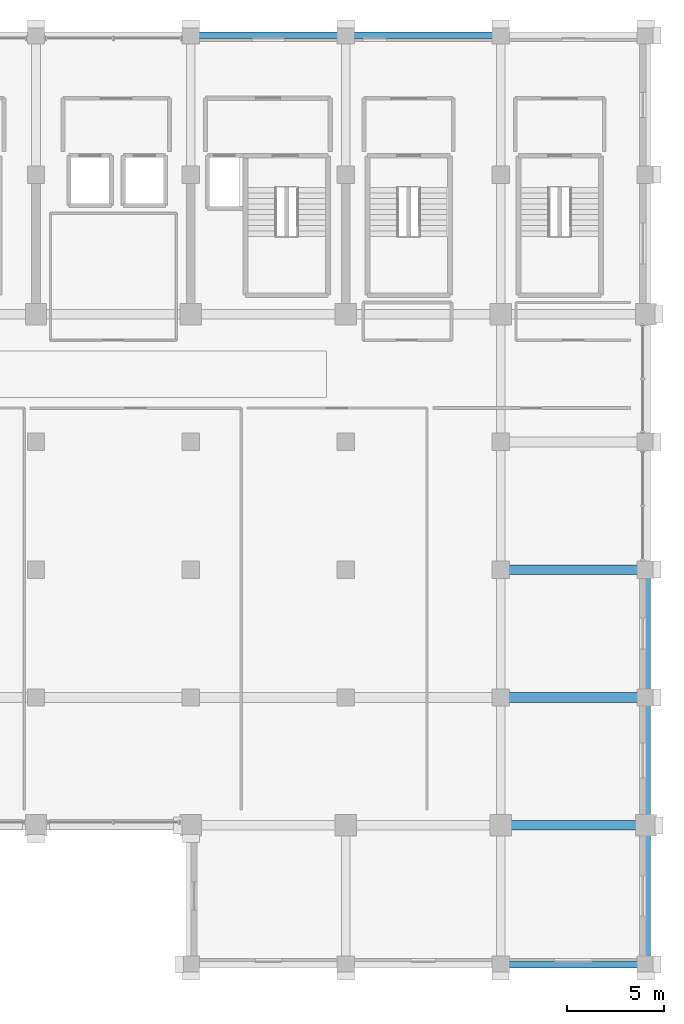
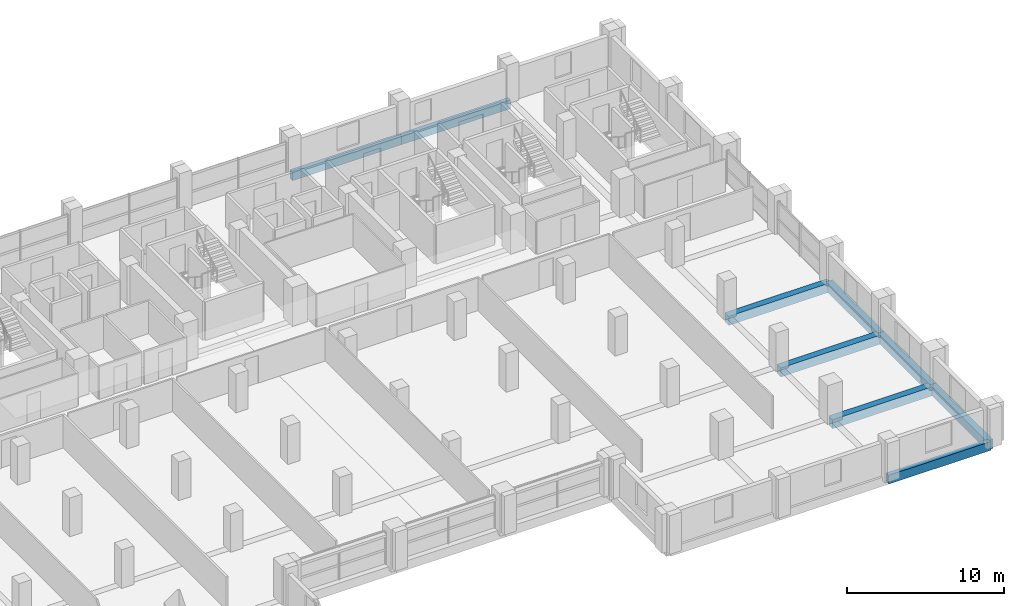
# One storey, part 13 of 22: 9 beams.
"""IFC4 building model written with IfcOpenShell, lengths in metres."""

from ifc_helpers import new_model, si_unit, direction, frame, origin, origin_2d, place, context, subcontext, project, spatial, rectangle, extrude, material, material_profile, profile_set, type_object, element, save


model = new_model("IFC4")

# Units and contexts
model_context = context("Model", 3, precision=1e-05, world=origin(), true_north=direction((0.0, 1.0)))
body_context = subcontext(model_context, "Body", "Model", "MODEL_VIEW")
ifc_project = project(units=[si_unit("LENGTHUNIT", "METRE"), si_unit("AREAUNIT", "SQUARE_METRE"), si_unit("VOLUMEUNIT", "CUBIC_METRE"), si_unit("PLANEANGLEUNIT", "RADIAN"), si_unit("MASSUNIT", "GRAM", prefix="KILO")], contexts=[model_context])

# Site, building, storey
site_placement = place(None, origin())
site = spatial("IfcSite", under=ifc_project, at=site_placement, CompositionType="ELEMENT")
building_placement = place(site_placement, origin())
building = spatial("IfcBuilding", under=site, at=building_placement, Name="Akrevak Sports Hall", CompositionType="ELEMENT")
storey_placement = place(building_placement, frame((0.0, 0.0, 30.800048828125)))
storey = spatial("IfcBuildingStorey", under=building, at=storey_placement, Name="L06", CompositionType="ELEMENT", Elevation=30.800048828125)

# Beams
ifc_material = material(Name="Concrete C40/50", Category="concrete")
ifc_material_profile_1 = material_profile(ifc_material, rectangle(XDim=0.449951171875, YDim=0.699951171875, at=origin_2d()), Name="BM 450x700", Category="concrete")
ifc_profile_set_1 = profile_set([ifc_material_profile_1], Name="Concrete C40/50")
beam_type_1 = type_object("IfcBeamType", Name="STR-BM-RC450x700", PredefinedType="BEAM", material=ifc_profile_set_1)
beam_1_placement = place(storey_placement, frame((115.5, 21.60009765625, -0.35009765625), z_axis=(0.0, 1.0, 0.0), x_axis=(-1.0, 0.0, 0.0)))
element("IfcBeam", 1, at=beam_1_placement, inside=storey, type_object=beam_type_1, Name="Girder 16/D-E (L06)", PredefinedType="BEAM", context=body_context, shape_type="SweptSolid", body=[
    extrude(rectangle(XDim=0.449951171875, YDim=0.699951171875, at=origin_2d()), origin(), (0.0, 0.0, 1.0), 7.199951171875),
])
beam_2_placement = place(storey_placement, frame((115.5, 28.800048828125, -0.35009765625), z_axis=(0.0, 1.0, 0.0), x_axis=(-1.0, 0.0, 0.0)))
element("IfcBeam", 2, at=beam_2_placement, inside=storey, type_object=beam_type_1, Name="Girder 16/E-F (L06)", PredefinedType="BEAM", context=body_context, shape_type="SweptSolid", body=[
    extrude(rectangle(XDim=0.449951171875, YDim=0.699951171875, at=origin_2d()), origin(), (0.0, 0.0, 1.0), 6.599853515625),
])
beam_3_placement = place(storey_placement, frame((115.5, 35.39990234375, -0.35009765625), z_axis=(0.0, 1.0, 0.0), x_axis=(-1.0, 0.0, 0.0)))
element("IfcBeam", 3, at=beam_3_placement, inside=storey, type_object=beam_type_1, Name="Girder 16/F-G (L06)", PredefinedType="BEAM", context=body_context, shape_type="SweptSolid", body=[
    extrude(rectangle(XDim=0.449951171875, YDim=0.699951171875, at=origin_2d()), origin(), (0.0, 0.0, 1.0), 6.60009765625),
])
ifc_material_profile_2 = material_profile(ifc_material, rectangle(XDim=0.5, YDim=0.699951171875, at=origin_2d()), Name="BM 500x700", Category="concrete")
ifc_profile_set_2 = profile_set([ifc_material_profile_2], Name="Concrete C40/50")
beam_type_2 = type_object("IfcBeamType", Name="STR-BM-RC500x700", PredefinedType="BEAM", material=ifc_profile_set_2)
for number, where, z_axis, x_axis, name in (
    (4, (108.0, 28.800048828125, -0.35009765625), (1.0, 0.0, 0.0), (0.0, 1.0, 0.0), "Girder E/15-16 (L06)"),
    (5, (108.0, 35.39990234375, -0.35009765625), (1.0, 0.0, 0.0), (0.0, 1.0, 0.0), "Girder F/15-16 (L06)"),
    (6, (108.0, 42.0, -0.35009765625), (1.0, 0.0, 0.0), (0.0, 1.0, 0.0), "Girder G/15-16 (L06)"),
):
    element("IfcBeam", number, at=place(storey_placement, frame(where, z_axis=z_axis, x_axis=x_axis)), inside=storey, type_object=beam_type_2, Name=name, PredefinedType="BEAM", context=body_context, shape_type="SweptSolid", body=[
        extrude(rectangle(XDim=0.5, YDim=0.699951171875, at=origin_2d()), origin(), (0.0, 0.0, 1.0), 7.5),
    ])
ifc_material_profile_3 = material_profile(ifc_material, rectangle(XDim=0.320068359375, YDim=0.679931640625, at=origin_2d()), Name="SPD 320x680", Category="concrete")
ifc_profile_set_3 = profile_set([ifc_material_profile_3], Name="Concrete C40/50")
beam_type_3 = type_object("IfcBeamType", Name="STR-SPD-RC320x680", PredefinedType="SPANDREL", material=ifc_profile_set_3)
beam_4_placement = place(storey_placement, frame((108.0, 21.60009765625, -0.340087890625), z_axis=(1.0, 0.0, 0.0), x_axis=(0.0, 1.0, 0.0)))
element("IfcBeam", 7, at=beam_4_placement, inside=storey, type_object=beam_type_3, Name="Girder D/15-16 (L06)", PredefinedType="SPANDREL", context=body_context, shape_type="SweptSolid", body=[
    extrude(rectangle(XDim=0.320068359375, YDim=0.679931640625, at=origin_2d()), origin(), (0.0, 0.0, 1.0), 7.5),
])
for number, where, z_axis, x_axis, name in (
    (8, (92.0, 69.60009765625, -0.340087890625), (1.0, 0.0, 0.0), (0.0, 1.0, 0.0), "Girder K/13-14 (L06)"),
    (9, (100.0, 69.60009765625, -0.340087890625), (1.0, 0.0, 0.0), (0.0, 1.0, 0.0), "Girder K/14-15 (L06)"),
):
    element("IfcBeam", number, at=place(storey_placement, frame(where, z_axis=z_axis, x_axis=x_axis)), inside=storey, type_object=beam_type_3, Name=name, PredefinedType="SPANDREL", context=body_context, shape_type="SweptSolid", body=[
        extrude(rectangle(XDim=0.320068359375, YDim=0.679931640625, at=origin_2d()), origin(), (0.0, 0.0, 1.0), 8.0),
    ])

save(model, "model.ifc")
